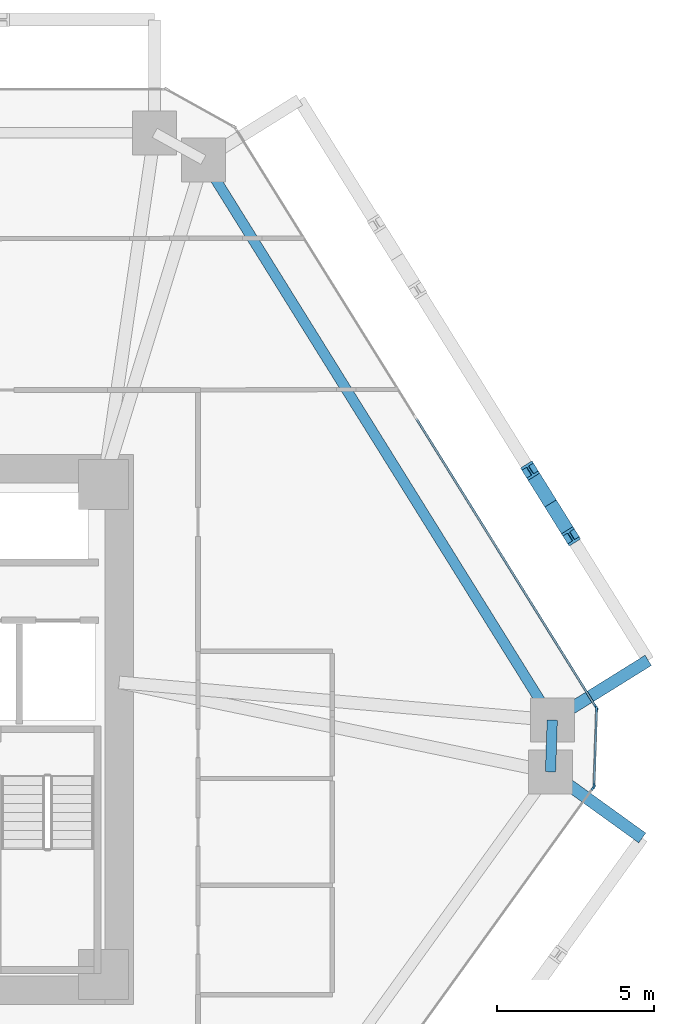
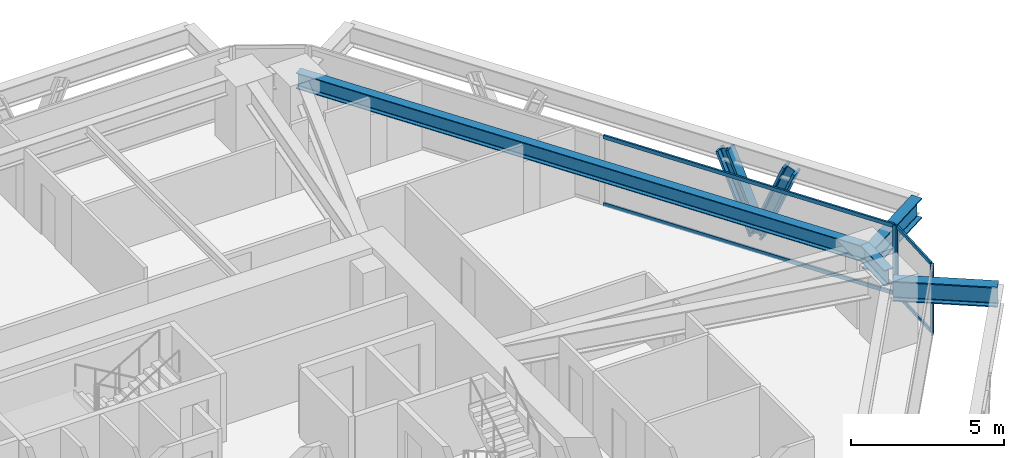
# One storey, part 6 of 15: 10 members, 4 beams, 3 elements without a shape of their own.
"""IFC4 building model written with IfcOpenShell, lengths in metres."""

from ifc_helpers import new_model, si_unit, direction, frame, origin, origin_2d, place, context, subcontext, project, spatial, rectangle, i_section, extrude, source, transform, mapped, material, layer, layer_set, material_profile, profile_set, type_object, type_shapes, element, aggregate, save


model = new_model("IFC4")

# Units and contexts
model_context = context("Model", 3, precision=1e-05, world=origin(), true_north=direction((0.0, 1.0)))
body_context = subcontext(model_context, "Body", "Model", "MODEL_VIEW")
ifc_project = project(units=[si_unit("LENGTHUNIT", "METRE"), si_unit("AREAUNIT", "SQUARE_METRE"), si_unit("VOLUMEUNIT", "CUBIC_METRE"), si_unit("PLANEANGLEUNIT", "RADIAN"), si_unit("MASSUNIT", "GRAM", prefix="KILO")], contexts=[model_context])

# Site, building, storey
site_placement = place(None, origin())
site = spatial("IfcSite", under=ifc_project, at=site_placement, CompositionType="ELEMENT")
building_placement = place(site_placement, origin())
building = spatial("IfcBuilding", under=site, at=building_placement, Name="Durnholm Broadcast Tower", CompositionType="ELEMENT")
storey_placement = place(building_placement, frame((0.0, 0.0, 81.300048828125)))
storey = spatial("IfcBuildingStorey", under=building, at=storey_placement, Name="L21", CompositionType="ELEMENT", Elevation=81.300048828125)

# Beams
ifc_material_1 = material(Name="Steel ASTM A992 Grade 50", Category="steel")
ifc_material_profile_1 = material_profile(ifc_material_1, i_section(OverallWidth=0.3291015625, OverallDepth=0.635009765625, WebThickness=0.017822265625, FlangeThickness=0.031005859375, FilletRadius=0.02783203125, at=origin_2d()), Name="W24X162")
ifc_profile_set_1 = profile_set([ifc_material_profile_1], Name="Steel ASTM A992 Grade 50")
beam_type_1 = type_object("IfcBeamType", Name="STL-SP-W24X162", PredefinedType="SPANDREL", material=ifc_profile_set_1)
shared_shape_1 = source(origin(), body_context, "Body", "SweptSolid", [
    extrude(i_section(OverallWidth=0.3291015625, OverallDepth=0.635009765625, WebThickness=0.017822265625, FlangeThickness=0.031005859375, FilletRadius=0.02783203125, at=origin_2d()), origin(), (0.0, 0.0, 1.0), 21.014404296875),
])
beam_1_placement = place(storey_placement, frame((12.982666015625, 18.138427734375, 2.427490234375), z_axis=(0.528595731543, -0.848873696491, 0.0), x_axis=(0.848873696491, 0.528595731543, 0.0)))
element("IfcBeam", 1, at=beam_1_placement, inside=storey, type_object=beam_type_1, Name="L21 perimeter spandrel girder 07", PredefinedType="SPANDREL", context=body_context, shape_type="MappedRepresentation", body=[
    mapped(shared_shape_1, transform((0.0, 0.0, 0.0), x_axis=(1.0, 0.0, 0.0), y_axis=(0.0, 1.0, 0.0), z_axis=(0.0, 0.0, 1.0), scale=1.0)),
])
shared_shape_2 = source(origin(), body_context, "Body", "SweptSolid", [
    extrude(i_section(OverallWidth=0.3291015625, OverallDepth=0.635009765625, WebThickness=0.017822265625, FlangeThickness=0.031005859375, FilletRadius=0.02783203125, at=origin_2d()), origin(), (0.0, 0.0, 1.0), 1.648193359375),
])
type_shapes(beam_type_1, [shared_shape_1, shared_shape_2])
beam_2_placement = place(storey_placement, frame((24.0908203125, 0.2998046875, 2.427490234375), z_axis=(-0.033921477804, -0.999424501072, 0.0), x_axis=(0.999424501072, -0.033921477804, 0.0)))
element("IfcBeam", 2, at=beam_2_placement, inside=storey, type_object=beam_type_1, Name="L21 perimeter spandrel girder 08", PredefinedType="SPANDREL", context=body_context, shape_type="MappedRepresentation", body=[
    mapped(shared_shape_2, transform((0.0, 0.0, 0.0), x_axis=(1.0, 0.0, 0.0), y_axis=(0.0, 1.0, 0.0), z_axis=(0.0, 0.0, 1.0), scale=1.0)),
])
ifc_material_profile_2 = material_profile(ifc_material_1, i_section(OverallWidth=0.385009765625, OverallDepth=0.802978515625, WebThickness=0.023681640625, FlangeThickness=0.0419921875, FilletRadius=0.032958984375, at=origin_2d()), Name="W30X261")
ifc_profile_set_2 = profile_set([ifc_material_profile_2], Name="Steel ASTM A992 Grade 50")
beam_type_2 = type_object("IfcBeamType", Name="BM-EXO-TIE", PredefinedType="USERDEFINED", material=ifc_profile_set_2)
shared_shape_3 = source(origin(), body_context, "Body", "SweptSolid", [
    extrude(i_section(OverallWidth=0.385009765625, OverallDepth=0.802978515625, WebThickness=0.023681640625, FlangeThickness=0.0419921875, FilletRadius=0.032958984375, at=origin_2d()), origin(), (0.0, 0.0, 1.0), 3.4560546875),
])
beam_3_placement = place(storey_placement, frame((24.212890625, 0.375732421875, 2.008544921875), z_axis=(0.848874183218, 0.528594949906, 0.0), x_axis=(-0.528594949906, 0.848874183218, 0.0)))
element("IfcBeam", 3, at=beam_3_placement, inside=storey, type_object=beam_type_2, Name="L21 exoskeleton stand-off tie bracket F3.1", ObjectType="GIRDER", PredefinedType="USERDEFINED", context=body_context, shape_type="MappedRepresentation", body=[
    mapped(shared_shape_3, transform((0.0, 0.0, 0.0), x_axis=(1.0, 0.0, 0.0), y_axis=(0.0, 1.0, 0.0), z_axis=(0.0, 0.0, 1.0), scale=1.0)),
])
shared_shape_4 = source(origin(), body_context, "Body", "SweptSolid", [
    extrude(i_section(OverallWidth=0.385009765625, OverallDepth=0.802978515625, WebThickness=0.023681640625, FlangeThickness=0.0419921875, FilletRadius=0.032958984375, at=origin_2d()), origin(), (0.0, 0.0, 1.0), 3.455810546875),
])
type_shapes(beam_type_2, [shared_shape_3, shared_shape_4])
beam_4_placement = place(storey_placement, frame((24.15185546875, -1.431396484375, 2.008544921875), z_axis=(0.811133512552, -0.584861030344, 0.0), x_axis=(0.584861030344, 0.811133512552, 0.0)))
element("IfcBeam", 4, at=beam_4_placement, inside=storey, type_object=beam_type_2, Name="L21 exoskeleton stand-off tie bracket F2.2", ObjectType="GIRDER", PredefinedType="USERDEFINED", context=body_context, shape_type="MappedRepresentation", body=[
    mapped(shared_shape_4, transform((0.0, 0.0, 0.0), x_axis=(1.0, 0.0, 0.0), y_axis=(0.0, 1.0, 0.0), z_axis=(0.0, 0.0, 1.0), scale=1.0)),
])

# Members
ifc_material_2 = material(Name="Steel ASTM A913 Grade 65", Category="steel")
ifc_material_profile_3 = material_profile(ifc_material_2, i_section(OverallWidth=0.43212890625, OverallDepth=0.497802734375, WebThickness=0.0556640625, FlangeThickness=0.0888671875, FilletRadius=0.030517578125, at=origin_2d()), Name="W14X500")
ifc_profile_set_3 = profile_set([ifc_material_profile_3], Name="Steel ASTM A913 Grade 65")
member_type_1 = type_object("IfcMemberType", Name="STL-DG-W14X500", PredefinedType="BRACE", material=ifc_profile_set_3)
shared_shape_5 = source(origin(), body_context, "Body", "SweptSolid", [
    extrude(i_section(OverallWidth=0.43212890625, OverallDepth=0.497802734375, WebThickness=0.0556640625, FlangeThickness=0.0888671875, FilletRadius=0.030517578125, at=origin_2d()), origin(), (0.0, 0.0, 1.0), 3.243896484375),
])
type_shapes(member_type_1, [shared_shape_5])
for number, where, z_axis, x_axis, name in (
    (5, (24.036376953125, 7.197509765625, -0.991455078125), (0.201102088214, -0.322877229954, 0.924828764958), (0.848819847179, 0.528682198523, 0.0), "L21 stand-off diagrid brace F3.D1.1"),
    (6, (24.036376953125, 7.197509765625, -0.991455078125), (-0.201029867597, 0.322882116058, 0.9248427604), (-0.848908635391, -0.528539618911, 0.0), "L21 stand-off diagrid brace F3.D1.2"),
):
    element("IfcMember", number, at=place(storey_placement, frame(where, z_axis=z_axis, x_axis=x_axis)), inside=storey, type_object=member_type_1, Name=name, PredefinedType="BRACE", context=body_context, shape_type="MappedRepresentation", body=[
        mapped(shared_shape_5, transform((0.0, 0.0, 0.0), x_axis=(1.0, 0.0, 0.0), y_axis=(0.0, 1.0, 0.0), z_axis=(0.0, 0.0, 1.0), scale=1.0)),
    ])

# Curtain wall, members
ifc_material_3 = material(Name="Aluminium and Solar Control IGU", Category="aluminium")
ifc_layer_1 = layer(ifc_material_3, 0.1650390625)
ifc_layer_set_1 = layer_set([ifc_layer_1], Name="Aluminium and Solar Control IGU")
curtain_wall_type_1 = type_object("IfcCurtainWallType", Name="CW-SYS-5", PredefinedType="NOTDEFINED", material=ifc_layer_set_1)
curtain_wall_1_placement = place(storey_placement, origin())
curtain_wall_1 = element("IfcCurtainWall", 7, at=curtain_wall_1_placement, inside=storey, type_object=curtain_wall_type_1, Name="L21 curtain wall CW-CORNER CW-L21-CRN-07", PredefinedType="NOTDEFINED")
ifc_material_4 = material(Name="Aluminium 6063-T6", Category="aluminium")
ifc_material_profile_4 = material_profile(ifc_material_4, rectangle(XDim=0.06494140625, YDim=0.1298828125, at=origin_2d()), Name="CWT65X130")
ifc_profile_set_4 = profile_set([ifc_material_profile_4], Name="Aluminium 6063-T6")
member_type_2 = type_object("IfcMemberType", Name="CW-SYS-5-TRN", PredefinedType="USERDEFINED", material=ifc_profile_set_4)
shared_shape_6 = source(origin(), body_context, "Body", "SweptSolid", [
    extrude(rectangle(XDim=0.06494140625, YDim=0.1298828125, at=origin_2d()), origin(), (0.0, 0.0, 1.0), 2.3701171875),
])
type_shapes(member_type_2, [shared_shape_6])
member_1_placement = place(storey_placement, frame((25.502197265625, 0.613037109375, 0.032470703125), z_axis=(-0.033788158898, -0.999429017148, 0.0), x_axis=(0.999429017148, -0.033788158898, 0.0)))
member_1 = element("IfcMember", 8, at=member_1_placement, type_object=member_type_2, Name="CW-CORNER transom 1.1", ObjectType="TRANSOM", PredefinedType="USERDEFINED", context=body_context, shape_type="MappedRepresentation", body=[
    mapped(shared_shape_6, transform((0.0, 0.0, 0.0), x_axis=(1.0, 0.0, 0.0), y_axis=(0.0, 1.0, 0.0), z_axis=(0.0, 0.0, 1.0), scale=1.0)),
])
member_2_placement = place(storey_placement, frame((25.502197265625, 0.613037109375, 2.7275390625), z_axis=(-0.033788158898, -0.999429017148, 0.0), x_axis=(0.999429017148, -0.033788158898, 0.0)))
member_2 = element("IfcMember", 9, at=member_2_placement, type_object=member_type_2, Name="CW-CORNER transom 1.2", ObjectType="TRANSOM", PredefinedType="USERDEFINED", context=body_context, shape_type="MappedRepresentation", body=[
    mapped(shared_shape_6, transform((0.0, 0.0, 0.0), x_axis=(1.0, 0.0, 0.0), y_axis=(0.0, 1.0, 0.0), z_axis=(0.0, 0.0, 1.0), scale=1.0)),
])

ifc_layer_2 = layer(ifc_material_3, 0.18994140625)
ifc_layer_set_2 = layer_set([ifc_layer_2], Name="Aluminium and Solar Control IGU")
curtain_wall_type_2 = type_object("IfcCurtainWallType", Name="CW-SYS-3", PredefinedType="NOTDEFINED", material=ifc_layer_set_2)
curtain_wall_2_placement = place(storey_placement, origin())
curtain_wall_2 = element("IfcCurtainWall", 10, at=curtain_wall_2_placement, inside=storey, type_object=curtain_wall_type_2, Name="L21 curtain wall CW-Z12-VIS CW-L21-F06", PredefinedType="NOTDEFINED")
ifc_material_profile_5 = material_profile(ifc_material_4, rectangle(XDim=0.070068359375, YDim=0.14990234375, at=origin_2d()), Name="CWT70X150")
ifc_profile_set_5 = profile_set([ifc_material_profile_5], Name="Aluminium 6063-T6")
member_type_3 = type_object("IfcMemberType", Name="CW-SYS-3-TRN", PredefinedType="USERDEFINED", material=ifc_profile_set_5)
shared_shape_7 = source(origin(), body_context, "Body", "SweptSolid", [
    extrude(rectangle(XDim=0.070068359375, YDim=0.14990234375, at=origin_2d()), origin(), (0.0, 0.0, 1.0), 10.796630859375),
])
type_shapes(member_type_3, [shared_shape_7])
member_3_placement = place(storey_placement, frame((19.760498046875, 9.902587890625, 0.034912109375), z_axis=(0.528575362968, -0.848886379714, 0.0), x_axis=(0.848886379714, 0.528575362968, 0.0)))
member_3 = element("IfcMember", 11, at=member_3_placement, type_object=member_type_3, Name="CW-Z12-VIS transom 2.1", ObjectType="TRANSOM", PredefinedType="USERDEFINED", context=body_context, shape_type="MappedRepresentation", body=[
    mapped(shared_shape_7, transform((0.0, 0.0, 0.0), x_axis=(1.0, 0.0, 0.0), y_axis=(0.0, 1.0, 0.0), z_axis=(0.0, 0.0, 1.0), scale=1.0)),
])
member_4_placement = place(storey_placement, frame((19.760498046875, 9.902587890625, 2.724853515625), z_axis=(0.528575362968, -0.848886379714, 0.0), x_axis=(0.848886379714, 0.528575362968, 0.0)))
member_4 = element("IfcMember", 12, at=member_4_placement, type_object=member_type_3, Name="CW-Z12-VIS transom 2.2", ObjectType="TRANSOM", PredefinedType="USERDEFINED", context=body_context, shape_type="MappedRepresentation", body=[
    mapped(shared_shape_7, transform((0.0, 0.0, 0.0), x_axis=(1.0, 0.0, 0.0), y_axis=(0.0, 1.0, 0.0), z_axis=(0.0, 0.0, 1.0), scale=1.0)),
])

# Member
ifc_material_profile_6 = material_profile(ifc_material_4, rectangle(XDim=0.06494140625, YDim=0.1650390625, at=origin_2d()), Name="CWM65X165")
ifc_profile_set_6 = profile_set([ifc_material_profile_6], Name="Aluminium 6063-T6")
member_type_4 = type_object("IfcMemberType", Name="CW-SYS-5-MUL", PredefinedType="MULLION", material=ifc_profile_set_6)
shared_shape_8 = source(origin(), body_context, "Body", "SweptSolid", [
    extrude(rectangle(XDim=0.06494140625, YDim=0.1650390625, at=origin_2d()), origin(), (0.0, 0.0, 1.0), 2.760009765625),
])
type_shapes(member_type_4, [shared_shape_8])
member_5_placement = place(storey_placement, frame((25.50341796875, 0.6455078125, 0.0), z_axis=(0.0, 0.0, 1.0), x_axis=(0.999427277772, -0.033839569233, 0.0)))
member_5 = element("IfcMember", 13, at=member_5_placement, type_object=member_type_4, Name="CW-CORNER mullion 1", PredefinedType="MULLION", context=body_context, shape_type="MappedRepresentation", body=[
    mapped(shared_shape_8, transform((0.0, 0.0, 0.0), x_axis=(1.0, 0.0, 0.0), y_axis=(0.0, 1.0, 0.0), z_axis=(0.0, 0.0, 1.0), scale=1.0)),
])

member_6_placement = place(storey_placement, frame((25.4208984375, -1.7880859375, 0.0), z_axis=(0.0, 0.0, 1.0), x_axis=(0.999427277772, -0.033839569233, 0.0)))
member_6 = element("IfcMember", 14, at=member_6_placement, type_object=member_type_4, Name="CW-CORNER mullion 2", PredefinedType="MULLION", context=body_context, shape_type="MappedRepresentation", body=[
    mapped(shared_shape_8, transform((0.0, 0.0, 0.0), x_axis=(1.0, 0.0, 0.0), y_axis=(0.0, 1.0, 0.0), z_axis=(0.0, 0.0, 1.0), scale=1.0)),
])

aggregate(curtain_wall_1, [member_5, member_6, member_1, member_2])

ifc_material_profile_7 = material_profile(ifc_material_4, rectangle(XDim=0.070068359375, YDim=0.18994140625, at=origin_2d()), Name="CWM70X190")
ifc_profile_set_7 = profile_set([ifc_material_profile_7], Name="Aluminium 6063-T6")
member_type_5 = type_object("IfcMemberType", Name="CW-SYS-3-MUL", PredefinedType="MULLION", material=ifc_profile_set_7)
shared_shape_9 = source(origin(), body_context, "Body", "SweptSolid", [
    extrude(rectangle(XDim=0.070068359375, YDim=0.18994140625, at=origin_2d()), origin(), (0.0, 0.0, 1.0), 2.760009765625),
])
type_shapes(member_type_5, [shared_shape_9])
member_7_placement = place(storey_placement, frame((25.48583984375, 0.707763671875, 0.0), z_axis=(0.0, 0.0, 1.0), x_axis=(0.848875785503, 0.528592376777, 0.0)))
member_7 = element("IfcMember", 15, at=member_7_placement, type_object=member_type_5, Name="CW-Z12-VIS mullion 3", PredefinedType="MULLION", context=body_context, shape_type="MappedRepresentation", body=[
    mapped(shared_shape_9, transform((0.0, 0.0, 0.0), x_axis=(1.0, 0.0, 0.0), y_axis=(0.0, 1.0, 0.0), z_axis=(0.0, 0.0, 1.0), scale=1.0)),
])

aggregate(curtain_wall_2, [member_7, member_3, member_4])

# Curtain wall, member
curtain_wall_3_placement = place(storey_placement, origin())
curtain_wall_3 = element("IfcCurtainWall", 16, at=curtain_wall_3_placement, inside=storey, type_object=curtain_wall_type_2, Name="L21 curtain wall CW-Z12-VIS CW-L21-F08", PredefinedType="NOTDEFINED")
member_8_placement = place(storey_placement, frame((25.3994140625, -1.848876953125, 0.0), z_axis=(0.0, 0.0, 1.0), x_axis=(0.81116057493, -0.584823496176, 0.0)))
member_8 = element("IfcMember", 17, at=member_8_placement, type_object=member_type_5, Name="CW-Z12-VIS mullion 1", PredefinedType="MULLION", context=body_context, shape_type="MappedRepresentation", body=[
    mapped(shared_shape_9, transform((0.0, 0.0, 0.0), x_axis=(1.0, 0.0, 0.0), y_axis=(0.0, 1.0, 0.0), z_axis=(0.0, 0.0, 1.0), scale=1.0)),
])
aggregate(curtain_wall_3, [member_8])

save(model, "model.ifc")
